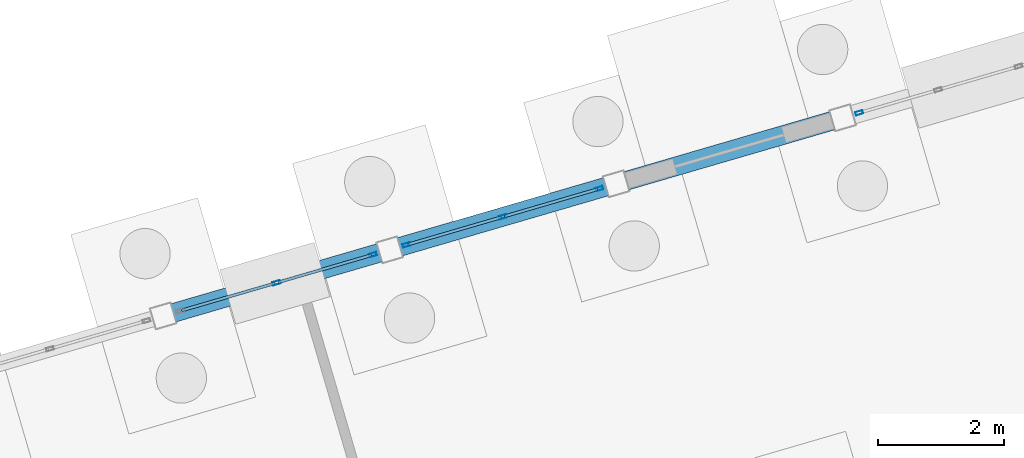
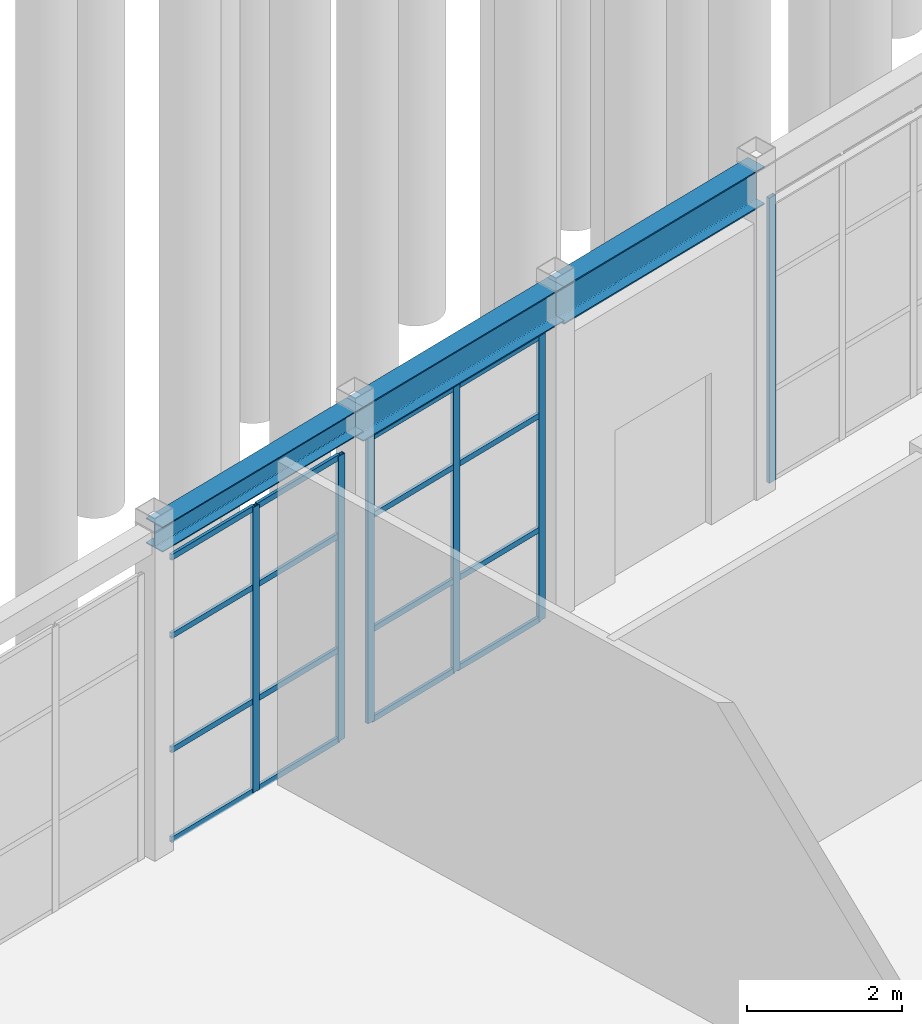
# One storey, part 43 of 90: 22 members, 3 beams, 3 elements without a shape of their own.
"""IFC4 building model written with IfcOpenShell, lengths in metres."""

from ifc_helpers import new_model, si_unit, direction, frame, origin, origin_2d, place, context, subcontext, project, spatial, hollow_rectangle, i_section, extrude, material, layer, layer_set, material_profile, profile_set, type_object, element, aggregate, save


model = new_model("IFC4")

# Units and contexts
model_context = context("Model", 3, precision=1e-05, world=origin(), true_north=direction((0.0, 1.0)))
body_context = subcontext(model_context, "Body", "Model", "MODEL_VIEW")
ifc_project = project(units=[si_unit("LENGTHUNIT", "METRE"), si_unit("AREAUNIT", "SQUARE_METRE"), si_unit("VOLUMEUNIT", "CUBIC_METRE"), si_unit("PLANEANGLEUNIT", "RADIAN"), si_unit("MASSUNIT", "GRAM", prefix="KILO")], contexts=[model_context])

# Site, building, storey
site_placement = place(None, origin())
site = spatial("IfcSite", under=ifc_project, at=site_placement, CompositionType="ELEMENT")
building_placement = place(site_placement, origin())
building = spatial("IfcBuilding", under=site, at=building_placement, Name="Canggui Botanical Conservatory", CompositionType="ELEMENT")
storey_placement = place(building_placement, origin())
storey = spatial("IfcBuildingStorey", under=building, at=storey_placement, Name="L01", CompositionType="ELEMENT", Elevation=0.0)

# Beams
ifc_material_1 = material(Name="Steel Q355B", Category="steel")
ifc_material_profile_1 = material_profile(ifc_material_1, i_section(OverallWidth=0.300048828125, OverallDepth=0.39990234375, WebThickness=0.010009765625, FlangeThickness=0.01611328125, FilletRadius=0.02197265625, at=origin_2d()), Name="HM 400x300x10x16")
ifc_profile_set_1 = profile_set([ifc_material_profile_1], Name="Steel Q355B")
beam_type_1 = type_object("IfcBeamType", Name="BM-GL03", PredefinedType="BEAM", material=ifc_profile_set_1)
beam_1_placement = place(storey_placement, frame((44.0, 80.25, 4.97509765625), z_axis=(0.959998541695, 0.280004999853, 0.0), x_axis=(-0.280004999853, 0.959998541695, 0.0)))
element("IfcBeam", 1, at=beam_1_placement, inside=storey, type_object=beam_type_1, Name="Conservatory Skywalk Perimeter Girder V1-10", PredefinedType="BEAM", context=body_context, shape_type="SweptSolid", body=[
    extrude(i_section(OverallWidth=0.300048828125, OverallDepth=0.39990234375, WebThickness=0.010009765625, FlangeThickness=0.01611328125, FilletRadius=0.02197265625, at=origin_2d()), origin(), (0.0, 0.0, 1.0), 3.75),
])
ifc_material_profile_2 = material_profile(ifc_material_1, i_section(OverallWidth=0.300048828125, OverallDepth=0.550048828125, WebThickness=0.010986328125, FlangeThickness=0.01806640625, FilletRadius=0.02392578125, at=origin_2d()), Name="HM 550x300x11x18")
ifc_profile_set_2 = profile_set([ifc_material_profile_2], Name="Steel Q355B")
beam_type_2 = type_object("IfcBeamType", Name="BM-GL08", PredefinedType="BEAM", material=ifc_profile_set_2)
beam_2_placement = place(storey_placement, frame((47.60009765625, 81.300048828125, 4.89990234375), z_axis=(0.959993437014, 0.280022500685, 0.0), x_axis=(-0.280022500685, 0.959993437014, 0.0)))
element("IfcBeam", 2, at=beam_2_placement, inside=storey, type_object=beam_type_2, Name="Conservatory Skywalk Perimeter Girder V1-11", PredefinedType="BEAM", context=body_context, shape_type="SweptSolid", body=[
    extrude(i_section(OverallWidth=0.300048828125, OverallDepth=0.550048828125, WebThickness=0.010986328125, FlangeThickness=0.01806640625, FilletRadius=0.02392578125, at=origin_2d()), origin(), (0.0, 0.0, 1.0), 3.749755859375),
])
ifc_material_profile_3 = material_profile(ifc_material_1, i_section(OverallWidth=0.300048828125, OverallDepth=0.60009765625, WebThickness=0.011962890625, FlangeThickness=0.02001953125, FilletRadius=0.02392578125, at=origin_2d()), Name="HM 600x300x12x20")
ifc_profile_set_3 = profile_set([ifc_material_profile_3], Name="Steel Q355B")
beam_type_3 = type_object("IfcBeamType", Name="BM-GL09", PredefinedType="BEAM", material=ifc_profile_set_3)
beam_3_placement = place(storey_placement, frame((51.199951171875, 82.35009765625, 4.875), z_axis=(0.960016039924, 0.279945000113, 0.0), x_axis=(-0.279945000113, 0.960016039924, 0.0)))
element("IfcBeam", 3, at=beam_3_placement, inside=storey, type_object=beam_type_3, Name="Conservatory Skywalk Perimeter Girder V1-12", PredefinedType="BEAM", context=body_context, shape_type="SweptSolid", body=[
    extrude(i_section(OverallWidth=0.300048828125, OverallDepth=0.60009765625, WebThickness=0.011962890625, FlangeThickness=0.02001953125, FilletRadius=0.02392578125, at=origin_2d()), origin(), (0.0, 0.0, 1.0), 3.75),
])

# Curtain wall, members
ifc_material_2 = material(Name="Thermally Broken Aluminium", Category="aluminium")
ifc_layer = layer(ifc_material_2, 0.1201171875, Name="Thermally Broken Aluminium", Category="aluminium")
ifc_layer_set = layer_set([ifc_layer], Name="Thermally Broken Aluminium")
curtain_wall_type = type_object("IfcCurtainWallType", Name="CW-STICK-B", PredefinedType="USERDEFINED", material=ifc_layer_set)
curtain_wall_1_placement = place(storey_placement, origin())
curtain_wall_1 = element("IfcCurtainWall", 4, at=curtain_wall_1_placement, inside=storey, type_object=curtain_wall_type, Name="Facade Curtain Wall CW-CONS-L01-V1-10", ObjectType="STICK GLAZED WALL", PredefinedType="USERDEFINED")
ifc_material_profile_4 = material_profile(ifc_material_2, hollow_rectangle(XDim=0.054931640625, YDim=0.1201171875, WallThickness=0.0029296875, at=origin_2d()), Name="CWM 55x120x3")
ifc_profile_set_4 = profile_set([ifc_material_profile_4], Name="Thermally Broken Aluminium")
member_type_1 = type_object("IfcMemberType", Name="CWM-05", PredefinedType="MULLION", material=ifc_profile_set_4)
member_1_placement = place(storey_placement, frame((45.800048828125, 80.77490234375, 0.0), z_axis=(0.0, 0.0, 1.0), x_axis=(-0.279999999995, 0.960000000002, 0.0)))
member_1 = element("IfcMember", 5, at=member_1_placement, type_object=member_type_1, Name="CW-05 mullion 2", PredefinedType="MULLION", context=body_context, shape_type="SweptSolid", body=[
    extrude(hollow_rectangle(XDim=0.054931640625, YDim=0.1201171875, WallThickness=0.0029296875, at=origin_2d()), origin(), (0.0, 0.0, 1.0), 4.5),
])
member_2_placement = place(storey_placement, frame((47.33349609375, 81.222412109375, 0.0), z_axis=(0.0, 0.0, 1.0), x_axis=(-0.279999999995, 0.960000000002, 0.0)))
member_2 = element("IfcMember", 6, at=member_2_placement, type_object=member_type_1, Name="CW-05 mullion 3", PredefinedType="MULLION", context=body_context, shape_type="SweptSolid", body=[
    extrude(hollow_rectangle(XDim=0.054931640625, YDim=0.1201171875, WallThickness=0.0029296875, at=origin_2d()), origin(), (0.0, 0.0, 1.0), 4.5),
])

curtain_wall_2_placement = place(storey_placement, origin())
curtain_wall_2 = element("IfcCurtainWall", 7, at=curtain_wall_2_placement, inside=storey, type_object=curtain_wall_type, Name="Facade Curtain Wall CW-CONS-L01-V1-11", ObjectType="STICK GLAZED WALL", PredefinedType="USERDEFINED")
member_3_placement = place(storey_placement, frame((47.866455078125, 81.377685546875, 0.0), z_axis=(0.0, 0.0, 1.0), x_axis=(-0.279999999995, 0.960000000002, 0.0)))
member_3 = element("IfcMember", 8, at=member_3_placement, type_object=member_type_1, Name="CW-05 mullion 1", PredefinedType="MULLION", context=body_context, shape_type="SweptSolid", body=[
    extrude(hollow_rectangle(XDim=0.054931640625, YDim=0.1201171875, WallThickness=0.0029296875, at=origin_2d()), origin(), (0.0, 0.0, 1.0), 4.5),
])
member_4_placement = place(storey_placement, frame((49.39990234375, 81.824951171875, 0.0), z_axis=(0.0, 0.0, 1.0), x_axis=(-0.279999999995, 0.960000000002, 0.0)))
member_4 = element("IfcMember", 9, at=member_4_placement, type_object=member_type_1, Name="CW-05 mullion 2", PredefinedType="MULLION", context=body_context, shape_type="SweptSolid", body=[
    extrude(hollow_rectangle(XDim=0.054931640625, YDim=0.1201171875, WallThickness=0.0029296875, at=origin_2d()), origin(), (0.0, 0.0, 1.0), 4.5),
])
member_5_placement = place(storey_placement, frame((50.93359375, 82.272216796875, 0.0), z_axis=(0.0, 0.0, 1.0), x_axis=(-0.279999999995, 0.960000000002, 0.0)))
member_5 = element("IfcMember", 10, at=member_5_placement, type_object=member_type_1, Name="CW-05 mullion 3", PredefinedType="MULLION", context=body_context, shape_type="SweptSolid", body=[
    extrude(hollow_rectangle(XDim=0.054931640625, YDim=0.1201171875, WallThickness=0.0029296875, at=origin_2d()), origin(), (0.0, 0.0, 1.0), 4.5),
])

# Curtain wall, member
curtain_wall_3_placement = place(storey_placement, origin())
curtain_wall_3 = element("IfcCurtainWall", 11, at=curtain_wall_3_placement, inside=storey, type_object=curtain_wall_type, Name="Facade Curtain Wall CW-CONS-L01-V1-13", ObjectType="STICK GLAZED WALL", PredefinedType="USERDEFINED")
member_6_placement = place(storey_placement, frame((55.06640625, 83.477783203125, 0.0), z_axis=(0.0, 0.0, 1.0), x_axis=(-0.279999999995, 0.960000000002, 0.0)))
member_6 = element("IfcMember", 12, at=member_6_placement, type_object=member_type_1, Name="CW-05 mullion 1", PredefinedType="MULLION", context=body_context, shape_type="SweptSolid", body=[
    extrude(hollow_rectangle(XDim=0.054931640625, YDim=0.1201171875, WallThickness=0.0029296875, at=origin_2d()), origin(), (0.0, 0.0, 1.0), 4.5),
])
aggregate(curtain_wall_3, [member_6])

# Member
ifc_material_profile_5 = material_profile(ifc_material_2, hollow_rectangle(XDim=0.044921875, YDim=0.090087890625, WallThickness=0.0029296875, at=origin_2d()), Name="CWT 45x90x3")
ifc_profile_set_5 = profile_set([ifc_material_profile_5], Name="Thermally Broken Aluminium")
member_type_2 = type_object("IfcMemberType", Name="CWT-05", PredefinedType="USERDEFINED", material=ifc_profile_set_5)
member_7_placement = place(storey_placement, frame((44.292724609375, 80.33544921875, 0.0224609375), z_axis=(0.96001063444, 0.279963536486, 0.0), x_axis=(-0.279963536486, 0.96001063444, 0.0)))
member_7 = element("IfcMember", 13, at=member_7_placement, type_object=member_type_2, Name="CW-05 transom 1.1", ObjectType="TRANSOM", PredefinedType="USERDEFINED", context=body_context, shape_type="SweptSolid", body=[
    extrude(hollow_rectangle(XDim=0.044921875, YDim=0.090087890625, WallThickness=0.0029296875, at=origin_2d()), origin(), (0.0, 0.0, 1.0), 1.542724609375),
])

member_8_placement = place(storey_placement, frame((44.292724609375, 80.33544921875, 1.43994140625), z_axis=(0.96001063444, 0.279963536486, 0.0), x_axis=(-0.279963536486, 0.96001063444, 0.0)))
member_8 = element("IfcMember", 14, at=member_8_placement, type_object=member_type_2, Name="CW-05 transom 1.2", ObjectType="TRANSOM", PredefinedType="USERDEFINED", context=body_context, shape_type="SweptSolid", body=[
    extrude(hollow_rectangle(XDim=0.044921875, YDim=0.090087890625, WallThickness=0.0029296875, at=origin_2d()), origin(), (0.0, 0.0, 1.0), 1.542724609375),
])

member_9_placement = place(storey_placement, frame((44.292724609375, 80.33544921875, 3.239990234375), z_axis=(0.96001063444, 0.279963536486, 0.0), x_axis=(-0.279963536486, 0.96001063444, 0.0)))
member_9 = element("IfcMember", 15, at=member_9_placement, type_object=member_type_2, Name="CW-05 transom 1.3", ObjectType="TRANSOM", PredefinedType="USERDEFINED", context=body_context, shape_type="SweptSolid", body=[
    extrude(hollow_rectangle(XDim=0.044921875, YDim=0.090087890625, WallThickness=0.0029296875, at=origin_2d()), origin(), (0.0, 0.0, 1.0), 1.542724609375),
])

member_10_placement = place(storey_placement, frame((44.292724609375, 80.33544921875, 4.4775390625), z_axis=(0.96001063444, 0.279963536486, 0.0), x_axis=(-0.279963536486, 0.96001063444, 0.0)))
member_10 = element("IfcMember", 16, at=member_10_placement, type_object=member_type_2, Name="CW-05 transom 1.4", ObjectType="TRANSOM", PredefinedType="USERDEFINED", context=body_context, shape_type="SweptSolid", body=[
    extrude(hollow_rectangle(XDim=0.044921875, YDim=0.090087890625, WallThickness=0.0029296875, at=origin_2d()), origin(), (0.0, 0.0, 1.0), 1.542724609375),
])

member_11_placement = place(storey_placement, frame((45.826416015625, 80.78271484375, 0.0224609375), z_axis=(0.959998227189, 0.280006078137, 0.0), x_axis=(-0.280006078137, 0.959998227189, 0.0)))
member_11 = element("IfcMember", 17, at=member_11_placement, type_object=member_type_2, Name="CW-05 transom 2.1", ObjectType="TRANSOM", PredefinedType="USERDEFINED", context=body_context, shape_type="SweptSolid", body=[
    extrude(hollow_rectangle(XDim=0.044921875, YDim=0.090087890625, WallThickness=0.0029296875, at=origin_2d()), origin(), (0.0, 0.0, 1.0), 1.54248046875),
])

member_12_placement = place(storey_placement, frame((45.826416015625, 80.78271484375, 1.43994140625), z_axis=(0.959998227189, 0.280006078137, 0.0), x_axis=(-0.280006078137, 0.959998227189, 0.0)))
member_12 = element("IfcMember", 18, at=member_12_placement, type_object=member_type_2, Name="CW-05 transom 2.2", ObjectType="TRANSOM", PredefinedType="USERDEFINED", context=body_context, shape_type="SweptSolid", body=[
    extrude(hollow_rectangle(XDim=0.044921875, YDim=0.090087890625, WallThickness=0.0029296875, at=origin_2d()), origin(), (0.0, 0.0, 1.0), 1.54248046875),
])

member_13_placement = place(storey_placement, frame((45.826416015625, 80.78271484375, 3.239990234375), z_axis=(0.959998227189, 0.280006078137, 0.0), x_axis=(-0.280006078137, 0.959998227189, 0.0)))
member_13 = element("IfcMember", 19, at=member_13_placement, type_object=member_type_2, Name="CW-05 transom 2.3", ObjectType="TRANSOM", PredefinedType="USERDEFINED", context=body_context, shape_type="SweptSolid", body=[
    extrude(hollow_rectangle(XDim=0.044921875, YDim=0.090087890625, WallThickness=0.0029296875, at=origin_2d()), origin(), (0.0, 0.0, 1.0), 1.54248046875),
])

member_14_placement = place(storey_placement, frame((45.826416015625, 80.78271484375, 4.4775390625), z_axis=(0.959998227189, 0.280006078137, 0.0), x_axis=(-0.280006078137, 0.959998227189, 0.0)))
member_14 = element("IfcMember", 20, at=member_14_placement, type_object=member_type_2, Name="CW-05 transom 2.4", ObjectType="TRANSOM", PredefinedType="USERDEFINED", context=body_context, shape_type="SweptSolid", body=[
    extrude(hollow_rectangle(XDim=0.044921875, YDim=0.090087890625, WallThickness=0.0029296875, at=origin_2d()), origin(), (0.0, 0.0, 1.0), 1.54248046875),
])

aggregate(curtain_wall_1, [member_1, member_2, member_7, member_8, member_9, member_10, member_11, member_12, member_13, member_14])

member_15_placement = place(storey_placement, frame((47.892822265625, 81.385498046875, 0.0224609375), z_axis=(0.959998227189, 0.280006078137, 0.0), x_axis=(-0.280006078137, 0.959998227189, 0.0)))
member_15 = element("IfcMember", 21, at=member_15_placement, type_object=member_type_2, Name="CW-05 transom 1.1", ObjectType="TRANSOM", PredefinedType="USERDEFINED", context=body_context, shape_type="SweptSolid", body=[
    extrude(hollow_rectangle(XDim=0.044921875, YDim=0.090087890625, WallThickness=0.0029296875, at=origin_2d()), origin(), (0.0, 0.0, 1.0), 1.54248046875),
])

member_16_placement = place(storey_placement, frame((47.892822265625, 81.385498046875, 1.43994140625), z_axis=(0.959998227189, 0.280006078137, 0.0), x_axis=(-0.280006078137, 0.959998227189, 0.0)))
member_16 = element("IfcMember", 22, at=member_16_placement, type_object=member_type_2, Name="CW-05 transom 1.2", ObjectType="TRANSOM", PredefinedType="USERDEFINED", context=body_context, shape_type="SweptSolid", body=[
    extrude(hollow_rectangle(XDim=0.044921875, YDim=0.090087890625, WallThickness=0.0029296875, at=origin_2d()), origin(), (0.0, 0.0, 1.0), 1.54248046875),
])

member_17_placement = place(storey_placement, frame((47.892822265625, 81.385498046875, 3.239990234375), z_axis=(0.959998227189, 0.280006078137, 0.0), x_axis=(-0.280006078137, 0.959998227189, 0.0)))
member_17 = element("IfcMember", 23, at=member_17_placement, type_object=member_type_2, Name="CW-05 transom 1.3", ObjectType="TRANSOM", PredefinedType="USERDEFINED", context=body_context, shape_type="SweptSolid", body=[
    extrude(hollow_rectangle(XDim=0.044921875, YDim=0.090087890625, WallThickness=0.0029296875, at=origin_2d()), origin(), (0.0, 0.0, 1.0), 1.54248046875),
])

member_18_placement = place(storey_placement, frame((47.892822265625, 81.385498046875, 4.4775390625), z_axis=(0.959998227189, 0.280006078137, 0.0), x_axis=(-0.280006078137, 0.959998227189, 0.0)))
member_18 = element("IfcMember", 24, at=member_18_placement, type_object=member_type_2, Name="CW-05 transom 1.4", ObjectType="TRANSOM", PredefinedType="USERDEFINED", context=body_context, shape_type="SweptSolid", body=[
    extrude(hollow_rectangle(XDim=0.044921875, YDim=0.090087890625, WallThickness=0.0029296875, at=origin_2d()), origin(), (0.0, 0.0, 1.0), 1.54248046875),
])

member_19_placement = place(storey_placement, frame((49.426513671875, 81.832763671875, 0.0224609375), z_axis=(0.959998227189, 0.280006078137, 0.0), x_axis=(-0.280006078137, 0.959998227189, 0.0)))
member_19 = element("IfcMember", 25, at=member_19_placement, type_object=member_type_2, Name="CW-05 transom 2.1", ObjectType="TRANSOM", PredefinedType="USERDEFINED", context=body_context, shape_type="SweptSolid", body=[
    extrude(hollow_rectangle(XDim=0.044921875, YDim=0.090087890625, WallThickness=0.0029296875, at=origin_2d()), origin(), (0.0, 0.0, 1.0), 1.54248046875),
])

member_20_placement = place(storey_placement, frame((49.426513671875, 81.832763671875, 1.43994140625), z_axis=(0.959998227189, 0.280006078137, 0.0), x_axis=(-0.280006078137, 0.959998227189, 0.0)))
member_20 = element("IfcMember", 26, at=member_20_placement, type_object=member_type_2, Name="CW-05 transom 2.2", ObjectType="TRANSOM", PredefinedType="USERDEFINED", context=body_context, shape_type="SweptSolid", body=[
    extrude(hollow_rectangle(XDim=0.044921875, YDim=0.090087890625, WallThickness=0.0029296875, at=origin_2d()), origin(), (0.0, 0.0, 1.0), 1.54248046875),
])

member_21_placement = place(storey_placement, frame((49.426513671875, 81.832763671875, 3.239990234375), z_axis=(0.959998227189, 0.280006078137, 0.0), x_axis=(-0.280006078137, 0.959998227189, 0.0)))
member_21 = element("IfcMember", 27, at=member_21_placement, type_object=member_type_2, Name="CW-05 transom 2.3", ObjectType="TRANSOM", PredefinedType="USERDEFINED", context=body_context, shape_type="SweptSolid", body=[
    extrude(hollow_rectangle(XDim=0.044921875, YDim=0.090087890625, WallThickness=0.0029296875, at=origin_2d()), origin(), (0.0, 0.0, 1.0), 1.54248046875),
])

member_22_placement = place(storey_placement, frame((49.426513671875, 81.832763671875, 4.4775390625), z_axis=(0.959998227189, 0.280006078137, 0.0), x_axis=(-0.280006078137, 0.959998227189, 0.0)))
member_22 = element("IfcMember", 28, at=member_22_placement, type_object=member_type_2, Name="CW-05 transom 2.4", ObjectType="TRANSOM", PredefinedType="USERDEFINED", context=body_context, shape_type="SweptSolid", body=[
    extrude(hollow_rectangle(XDim=0.044921875, YDim=0.090087890625, WallThickness=0.0029296875, at=origin_2d()), origin(), (0.0, 0.0, 1.0), 1.54248046875),
])

aggregate(curtain_wall_2, [member_3, member_4, member_5, member_15, member_16, member_17, member_18, member_19, member_20, member_21, member_22])

save(model, "model.ifc")
